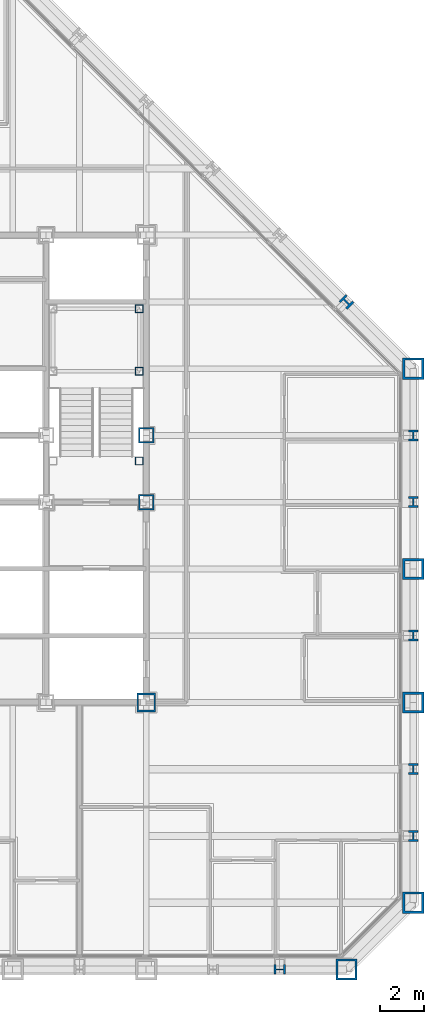
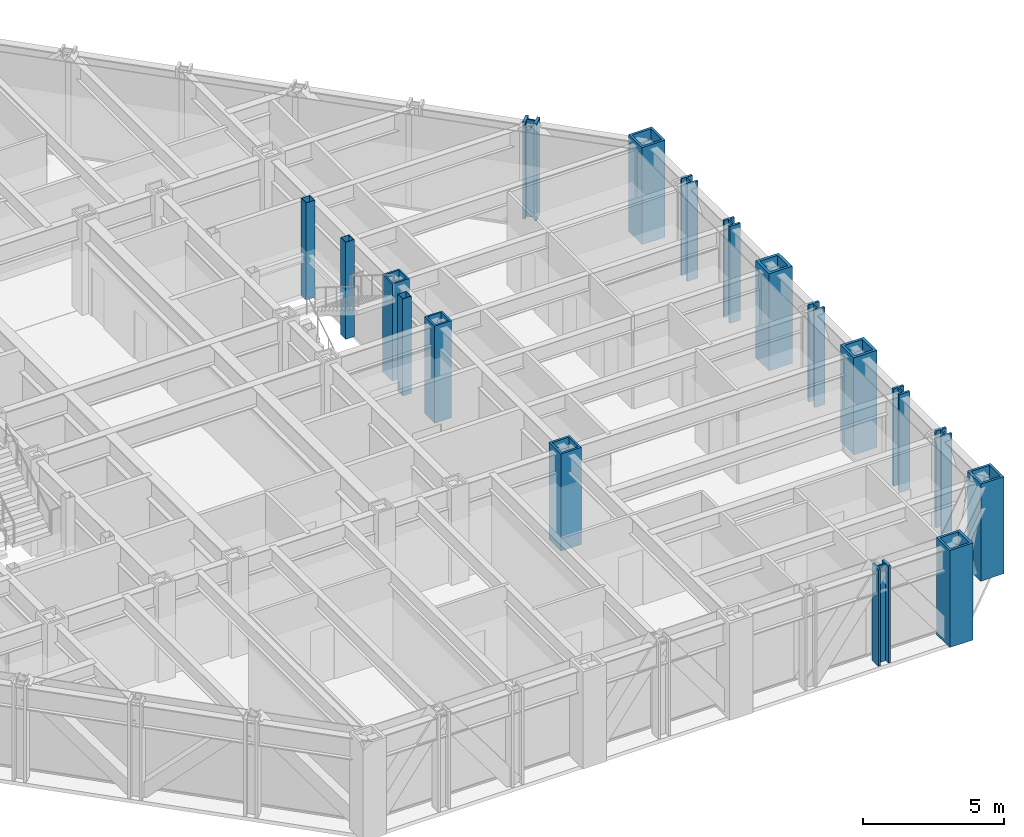
# One storey, part 2 of 16: 18 columns.
"""IFC4 building model written with IfcOpenShell, lengths in metres."""

from ifc_helpers import new_model, si_unit, direction, frame, origin, origin_2d, place, context, subcontext, project, spatial, hollow_rectangle, i_section, extrude, material, material_profile, profile_set, type_object, element, save


model = new_model("IFC4")

# Units and contexts
model_context = context("Model", 3, precision=1e-05, world=origin(), true_north=direction((0.0, 1.0)))
body_context = subcontext(model_context, "Body", "Model", "MODEL_VIEW")
ifc_project = project(units=[si_unit("LENGTHUNIT", "METRE"), si_unit("AREAUNIT", "SQUARE_METRE"), si_unit("VOLUMEUNIT", "CUBIC_METRE"), si_unit("PLANEANGLEUNIT", "RADIAN"), si_unit("MASSUNIT", "GRAM", prefix="KILO")], contexts=[model_context])

# Site, building, storey
site_placement = place(None, origin())
site = spatial("IfcSite", under=ifc_project, at=site_placement, CompositionType="ELEMENT")
building_placement = place(site_placement, origin())
building = spatial("IfcBuilding", under=site, at=building_placement, Name="Chuquiago Exchange Tower", CompositionType="ELEMENT")
storey_placement = place(building_placement, frame((0.0, 0.0, 123.60009765625)))
storey = spatial("IfcBuildingStorey", under=building, at=storey_placement, Name="L26", CompositionType="ELEMENT", Elevation=123.60009765625)

# Columns
ifc_material_1 = material(Name="Steel ASTM A992", Category="steel")
ifc_material_profile_1 = material_profile(ifc_material_1, i_section(OverallWidth=0.431884765625, OverallDepth=0.497802734375, WebThickness=0.0556640625, FlangeThickness=0.0888671875, at=origin_2d()), Name="W14X500")
ifc_profile_set_1 = profile_set([ifc_material_profile_1], Name="Steel ASTM A992")
column_type_1 = type_object("IfcColumnType", Name="C3 W14X500", PredefinedType="COLUMN", material=ifc_profile_set_1)
for number, where, z_axis, x_axis, name in (
    (1, (39.0, 0.0, 0.0), (0.0, 0.0, 1.0), (0.0, -1.0, 0.0), "COL-L26-39_0"),
    (2, (45.0, 6.0, 0.0), (0.0, 0.0, 1.0), (1.0, 0.0, 0.0), "COL-L26-45_6"),
    (3, (45.0, 9.0, 0.0), (0.0, 0.0, 1.0), (1.0, 0.0, 0.0), "COL-L26-45_9"),
    (4, (45.0, 15.0, 0.0), (0.0, 0.0, 1.0), (1.0, 0.0, 0.0), "COL-L26-45_15"),
    (5, (45.0, 21.0, 0.0), (0.0, 0.0, 1.0), (1.0, 0.0, 0.0), "COL-L26-45_21"),
    (6, (45.0, 24.0, 0.0), (0.0, 0.0, 1.0), (1.0, 0.0, 0.0), "COL-L26-45_24"),
):
    element("IfcColumn", number, at=place(storey_placement, frame(where, z_axis=z_axis, x_axis=x_axis)), inside=storey, type_object=column_type_1, Name=name, PredefinedType="COLUMN", context=body_context, shape_type="SweptSolid", body=[
        extrude(i_section(OverallWidth=0.431884765625, OverallDepth=0.497802734375, WebThickness=0.0556640625, FlangeThickness=0.0888671875, at=origin_2d()), origin(), (0.0, 0.0, 1.0), 4.199951171875),
    ])
ifc_material_2 = material(Name="Steel ASTM A572 Grade 50", Category="steel")
ifc_material_profile_2 = material_profile(ifc_material_2, hollow_rectangle(XDim=0.699951171875, YDim=0.699951171875, WallThickness=0.070068359375, at=origin_2d()), Name="BOX700X700X70")
ifc_profile_set_2 = profile_set([ifc_material_profile_2], Name="Steel ASTM A572 Grade 50")
column_type_2 = type_object("IfcColumnType", Name="CC3 BOX700X700X70", PredefinedType="COLUMN", material=ifc_profile_set_2)
for number, where, z_axis, x_axis, name in (
    (7, (33.0, 21.0, 0.0), (0.0, 0.0, 1.0), (1.0, 0.0, 0.0), "CCOL-L26-33_21"),
    (8, (33.0, 24.0, 0.0), (0.0, 0.0, 1.0), (1.0, 0.0, 0.0), "CCOL-L26-33_24"),
):
    element("IfcColumn", number, at=place(storey_placement, frame(where, z_axis=z_axis, x_axis=x_axis)), inside=storey, type_object=column_type_2, Name=name, PredefinedType="COLUMN", context=body_context, shape_type="SweptSolid", body=[
        extrude(hollow_rectangle(XDim=0.699951171875, YDim=0.699951171875, WallThickness=0.070068359375, at=origin_2d()), origin(), (0.0, 0.0, 1.0), 4.199951171875),
    ])
ifc_material_3 = material(Name="Steel ASTM A572 Grade 50", Category="steel")
ifc_material_profile_3 = material_profile(ifc_material_3, hollow_rectangle(XDim=0.85009765625, YDim=0.85009765625, WallThickness=0.0849609375, at=origin_2d()), Name="BOX850X850X85")
ifc_profile_set_3 = profile_set([ifc_material_profile_3], Name="Steel ASTM A572 Grade 50")
column_type_3 = type_object("IfcColumnType", Name="CC6 BOX850X850X85", PredefinedType="COLUMN", material=ifc_profile_set_3)
column_1_placement = place(storey_placement, frame((33.0, 12.0, 0.0), z_axis=(0.0, 0.0, 1.0), x_axis=(1.0, 0.0, 0.0)))
element("IfcColumn", 9, at=column_1_placement, inside=storey, type_object=column_type_3, Name="CCOL-L26-33_12", PredefinedType="COLUMN", context=body_context, shape_type="SweptSolid", body=[
    extrude(hollow_rectangle(XDim=0.85009765625, YDim=0.85009765625, WallThickness=0.0849609375, at=origin_2d()), origin(), (0.0, 0.0, 1.0), 4.199951171875),
])
ifc_material_4 = material(Name="Steel ASTM A992", Category="steel")
ifc_material_profile_4 = material_profile(ifc_material_4, i_section(OverallWidth=0.44189453125, OverallDepth=0.53076171875, WebThickness=0.06591796875, FlangeThickness=0.105712890625, at=origin_2d()), Name="W14X605")
ifc_profile_set_4 = profile_set([ifc_material_profile_4], Name="Steel ASTM A992")
column_type_4 = type_object("IfcColumnType", Name="CK3 W14X605", PredefinedType="COLUMN", material=ifc_profile_set_4)
column_2_placement = place(storey_placement, frame((42.0, 30.0, 0.0), z_axis=(0.0, 0.0, 1.0), x_axis=(0.707106781187, 0.707106781187, 0.0)))
element("IfcColumn", 10, at=column_2_placement, inside=storey, type_object=column_type_4, Name="COL-L26-42_30", PredefinedType="COLUMN", context=body_context, shape_type="SweptSolid", body=[
    extrude(i_section(OverallWidth=0.44189453125, OverallDepth=0.53076171875, WebThickness=0.06591796875, FlangeThickness=0.105712890625, at=origin_2d()), origin(), (0.0, 0.0, 1.0), 4.199951171875),
])
ifc_material_5 = material(Name="Steel ASTM A572 Grade 50", Category="steel")
ifc_material_profile_5 = material_profile(ifc_material_5, hollow_rectangle(XDim=0.949951171875, YDim=0.949951171875, WallThickness=0.094970703125, at=origin_2d()), Name="BOX950X950X95")
ifc_profile_set_5 = profile_set([ifc_material_profile_5], Name="Steel ASTM A572 Grade 50")
column_type_5 = type_object("IfcColumnType", Name="CN1 BOX950X950X95", PredefinedType="COLUMN", material=ifc_profile_set_5)
for number, where, z_axis, x_axis, name in (
    (11, (42.0, 0.0, 0.0), (0.0, 0.0, 1.0), (0.0, -1.0, 0.0), "COL-L26-42_0"),
    (12, (45.0, 3.0, 0.0), (0.0, 0.0, 1.0), (1.0, 0.0, 0.0), "COL-L26-45_3"),
    (13, (45.0, 27.0, 0.0), (0.0, 0.0, 1.0), (1.0, 0.0, 0.0), "COL-L26-45_27"),
):
    element("IfcColumn", number, at=place(storey_placement, frame(where, z_axis=z_axis, x_axis=x_axis)), inside=storey, type_object=column_type_5, Name=name, PredefinedType="COLUMN", context=body_context, shape_type="SweptSolid", body=[
        extrude(hollow_rectangle(XDim=0.949951171875, YDim=0.949951171875, WallThickness=0.094970703125, at=origin_2d()), origin(), (0.0, 0.0, 1.0), 4.199951171875),
    ])
ifc_material_6 = material(Name="Steel ASTM A572 Grade 42", Category="steel")
ifc_material_profile_6 = material_profile(ifc_material_6, hollow_rectangle(XDim=0.949951171875, YDim=0.949951171875, WallThickness=0.110107421875, at=origin_2d()), Name="BOX950X950X110")
ifc_profile_set_6 = profile_set([ifc_material_profile_6], Name="Steel ASTM A572 Grade 42")
column_type_6 = type_object("IfcColumnType", Name="CT1 BOX950X950X110", PredefinedType="COLUMN", material=ifc_profile_set_6)
for number, where, z_axis, x_axis, name in (
    (14, (45.0, 12.0, 0.0), (0.0, 0.0, 1.0), (1.0, 0.0, 0.0), "COL-L26-45_12"),
    (15, (45.0, 18.0, 0.0), (0.0, 0.0, 1.0), (1.0, 0.0, 0.0), "COL-L26-45_18"),
):
    element("IfcColumn", number, at=place(storey_placement, frame(where, z_axis=z_axis, x_axis=x_axis)), inside=storey, type_object=column_type_6, Name=name, PredefinedType="COLUMN", context=body_context, shape_type="SweptSolid", body=[
        extrude(hollow_rectangle(XDim=0.949951171875, YDim=0.949951171875, WallThickness=0.110107421875, at=origin_2d()), origin(), (0.0, 0.0, 1.0), 4.199951171875),
    ])
ifc_material_7 = material(Name="Steel ASTM A500 Grade C", Category="steel")
ifc_material_profile_7 = material_profile(ifc_material_7, hollow_rectangle(XDim=0.355712890625, YDim=0.355712890625, WallThickness=0.0146484375, at=origin_2d()), Name="HSS14X14X5/8")
ifc_profile_set_7 = profile_set([ifc_material_profile_7], Name="Steel ASTM A500 Grade C")
column_type_7 = type_object("IfcColumnType", Name="PT2 HSS14X14X5/8", PredefinedType="COLUMN", material=ifc_profile_set_7)
for number, where, z_axis, x_axis, name in (
    (16, (32.68994140625, 29.68994140625, 0.0), (0.0, 0.0, 1.0), (1.0, 0.0, 0.0), "Stair ST2 L26 landing post"),
    (17, (32.68994140625, 26.889892578125, 0.0), (0.0, 0.0, 1.0), (1.0, 0.0, 0.0), "Stair ST2 L26 landing post"),
    (18, (32.68994140625, 22.85009765625, 0.0), (0.0, 0.0, 1.0), (1.0, 0.0, 0.0), "Stair ST2 L26 landing post"),
):
    element("IfcColumn", number, at=place(storey_placement, frame(where, z_axis=z_axis, x_axis=x_axis)), inside=storey, type_object=column_type_7, Name=name, PredefinedType="COLUMN", context=body_context, shape_type="SweptSolid", body=[
        extrude(hollow_rectangle(XDim=0.355712890625, YDim=0.355712890625, WallThickness=0.0146484375, at=origin_2d()), origin(), (0.0, 0.0, 1.0), 4.199951171875),
    ])

save(model, "model.ifc")
